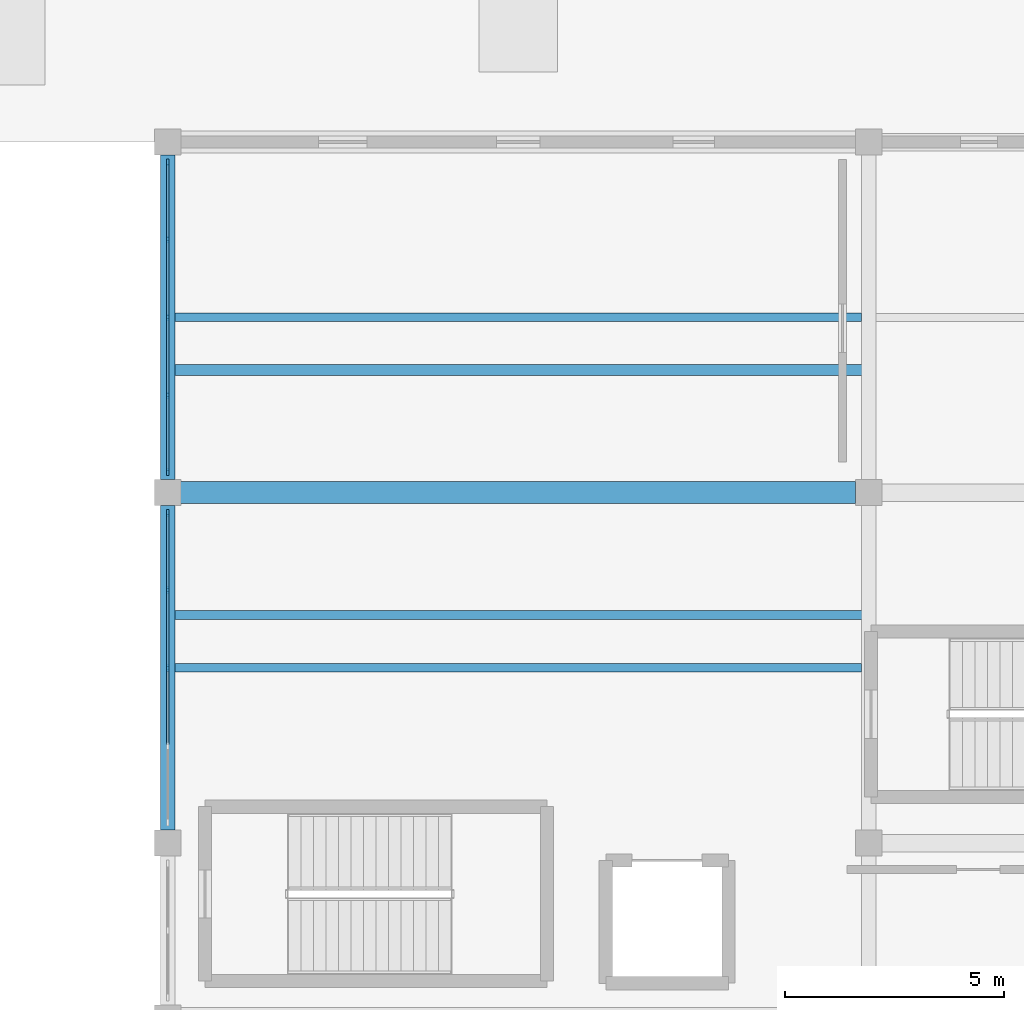
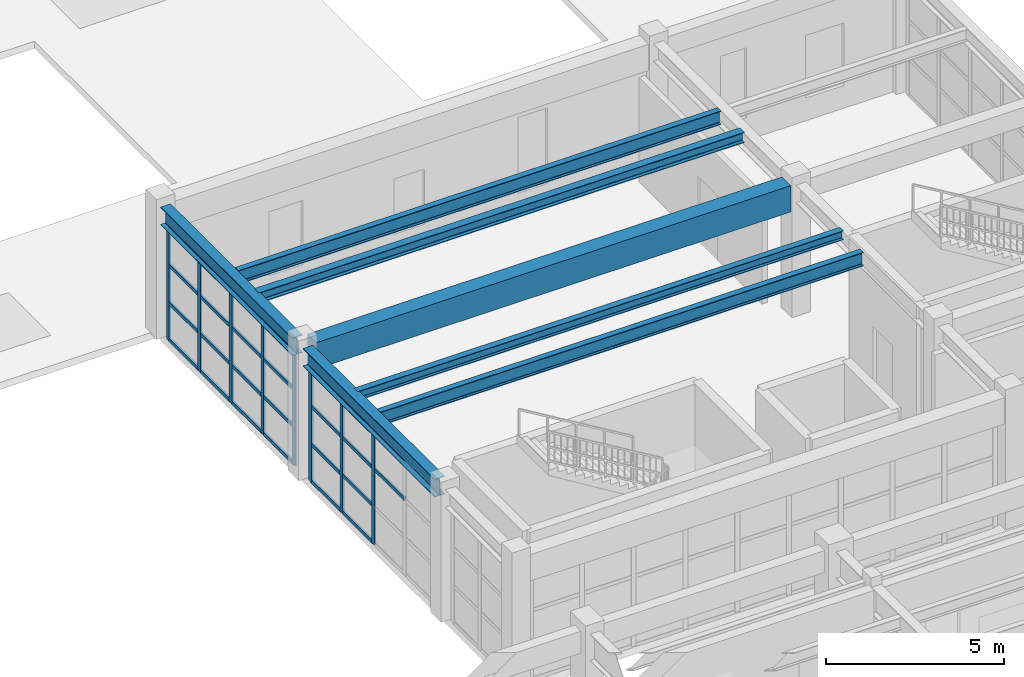
# One storey, part 20 of 59: 34 members, 7 beams, 2 elements without a shape of their own.
"""IFC4 building model written with IfcOpenShell, lengths in metres."""

from ifc_helpers import new_model, si_unit, direction, frame, origin, origin_2d, place, context, subcontext, project, spatial, rectangle, i_section, extrude, material, material_profile, profile_set, type_object, element, aggregate, save


model = new_model("IFC4")

# Units and contexts
model_context = context("Model", 3, precision=1e-05, world=origin(), true_north=direction((0.0, 1.0)))
body_context = subcontext(model_context, "Body", "Model", "MODEL_VIEW")
ifc_project = project(units=[si_unit("LENGTHUNIT", "METRE"), si_unit("AREAUNIT", "SQUARE_METRE"), si_unit("VOLUMEUNIT", "CUBIC_METRE"), si_unit("PLANEANGLEUNIT", "RADIAN"), si_unit("MASSUNIT", "GRAM", prefix="KILO")], contexts=[model_context])

# Site, building, storey
site_placement = place(None, origin())
site = spatial("IfcSite", under=ifc_project, at=site_placement, CompositionType="ELEMENT")
building_placement = place(site_placement, origin())
building = spatial("IfcBuilding", under=site, at=building_placement, Name="Serraluz Foothill Cableway Terminal", CompositionType="ELEMENT")
storey_placement = place(building_placement, frame((0.0, 0.0, 4.800048828125)))
storey = spatial("IfcBuildingStorey", under=building, at=storey_placement, Name="L01", CompositionType="ELEMENT", Elevation=4.800048828125)

# Beams
ifc_material_1 = material(Name="Concrete C35/45 (f'c 35 MPa)", Category="concrete")
ifc_material_profile_1 = material_profile(ifc_material_1, rectangle(XDim=0.5, YDim=0.89990234375, at=origin_2d()), Name="RC 500x900")
ifc_profile_set_1 = profile_set([ifc_material_profile_1], Name="Concrete C35/45 (f'c 35 MPa)")
beam_type_1 = type_object("IfcBeamType", Name="TYP-BM-RC500X900", PredefinedType="BEAM", material=ifc_profile_set_1)
beam_1_placement = place(storey_placement, frame((80.2958984375, 88.0, 4.050048828125), z_axis=(1.0, 0.0, 0.0), x_axis=(0.0, 1.0, 0.0)))
element("IfcBeam", 1, at=beam_1_placement, inside=storey, type_object=beam_type_1, Name="Primary Girder BM-X-L01-0237", PredefinedType="BEAM", context=body_context, shape_type="SweptSolid", body=[
    extrude(rectangle(XDim=0.5, YDim=0.89990234375, at=origin_2d()), origin(), (0.0, 0.0, 1.0), 15.408203125),
])
ifc_material_2 = material(Name="Steel ASTM A992 Grade 50", Category="steel")
ifc_material_profile_2 = material_profile(ifc_material_2, i_section(OverallWidth=0.324951171875, OverallDepth=0.615966796875, WebThickness=0.013916015625, FlangeThickness=0.021484375, FilletRadius=0.01806640625, at=origin_2d()), Name="W24X117")
ifc_profile_set_2 = profile_set([ifc_material_profile_2], Name="Steel ASTM A992 Grade 50")
beam_type_2 = type_object("IfcBeamType", Name="TYP-BM-W24X117", PredefinedType="BEAM", material=ifc_profile_set_2)
for number, where, z_axis, x_axis, name in (
    (2, (80.0, 80.2958984375, 4.19189453125), (0.0, 1.0, 0.0), (-1.0, 0.0, 0.0), "Transverse Girder BM-Y-L01-0261"),
    (3, (80.0, 88.2958984375, 4.19189453125), (0.0, 1.0, 0.0), (-1.0, 0.0, 0.0), "Transverse Girder BM-Y-L01-0262"),
):
    element("IfcBeam", number, at=place(storey_placement, frame(where, z_axis=z_axis, x_axis=x_axis)), inside=storey, type_object=beam_type_2, Name=name, PredefinedType="BEAM", context=body_context, shape_type="SweptSolid", body=[
        extrude(i_section(OverallWidth=0.324951171875, OverallDepth=0.615966796875, WebThickness=0.013916015625, FlangeThickness=0.021484375, FilletRadius=0.01806640625, at=origin_2d()), origin(), (0.0, 0.0, 1.0), 7.408203125),
    ])

# Curtain wall, members
ifc_material_3 = material(Name="Architectural bronze alloy C28000", Category="aluminium")
curtain_wall_type = type_object("IfcCurtainWallType", Name="TYP-CW-680X420", PredefinedType="NOTDEFINED", material=ifc_material_3)
curtain_wall_1_placement = place(storey_placement, origin())
curtain_wall_1 = element("IfcCurtainWall", 4, at=curtain_wall_1_placement, inside=storey, type_object=curtain_wall_type, Name="Ribbed Glazed Curtain Wall CW-V4W-L01-80", PredefinedType="NOTDEFINED")
ifc_material_profile_3 = material_profile(ifc_material_3, rectangle(XDim=0.06005859375, YDim=0.159912109375, at=origin_2d()), Name="ALU MULLION 60x160")
ifc_profile_set_3 = profile_set([ifc_material_profile_3], Name="Architectural bronze alloy C28000")
member_type_1 = type_object("IfcMemberType", Name="TYP-CW-MUL-60X160", PredefinedType="MULLION", material=ifc_profile_set_3)
member_1_placement = place(storey_placement, frame((80.0, 84.0, 0.0), z_axis=(0.0, 0.0, 1.0), x_axis=(-1.0, 0.0, 0.0)))
member_1 = element("IfcMember", 5, at=member_1_placement, type_object=member_type_1, Name="CW-13 mullion 3", PredefinedType="MULLION", context=body_context, shape_type="SweptSolid", body=[
    extrude(rectangle(XDim=0.06005859375, YDim=0.159912109375, at=origin_2d()), origin(), (0.0, 0.0, 1.0), 3.884033203125),
])
member_2_placement = place(storey_placement, frame((80.0, 85.780029296875, 0.0), z_axis=(0.0, 0.0, 1.0), x_axis=(-1.0, 0.0, 0.0)))
member_2 = element("IfcMember", 6, at=member_2_placement, type_object=member_type_1, Name="CW-13 mullion 4", PredefinedType="MULLION", context=body_context, shape_type="SweptSolid", body=[
    extrude(rectangle(XDim=0.06005859375, YDim=0.159912109375, at=origin_2d()), origin(), (0.0, 0.0, 1.0), 3.884033203125),
])
member_3_placement = place(storey_placement, frame((80.0, 87.530029296875, 0.0), z_axis=(0.0, 0.0, 1.0), x_axis=(-1.0, 0.0, 0.0)))
member_3 = element("IfcMember", 7, at=member_3_placement, type_object=member_type_1, Name="CW-13 mullion 5", PredefinedType="MULLION", context=body_context, shape_type="SweptSolid", body=[
    extrude(rectangle(XDim=0.06005859375, YDim=0.159912109375, at=origin_2d()), origin(), (0.0, 0.0, 1.0), 3.884033203125),
])

curtain_wall_2_placement = place(storey_placement, origin())
curtain_wall_2 = element("IfcCurtainWall", 8, at=curtain_wall_2_placement, inside=storey, type_object=curtain_wall_type, Name="Ribbed Glazed Curtain Wall CW-V4W-L01-88", PredefinedType="NOTDEFINED")
member_4_placement = place(storey_placement, frame((80.0, 88.469970703125, 0.0), z_axis=(0.0, 0.0, 1.0), x_axis=(-1.0, 0.0, 0.0)))
member_4 = element("IfcMember", 9, at=member_4_placement, type_object=member_type_1, Name="CW-13 mullion 1", PredefinedType="MULLION", context=body_context, shape_type="SweptSolid", body=[
    extrude(rectangle(XDim=0.06005859375, YDim=0.159912109375, at=origin_2d()), origin(), (0.0, 0.0, 1.0), 3.884033203125),
])
member_5_placement = place(storey_placement, frame((80.0, 90.219970703125, 0.0), z_axis=(0.0, 0.0, 1.0), x_axis=(-1.0, 0.0, 0.0)))
member_5 = element("IfcMember", 10, at=member_5_placement, type_object=member_type_1, Name="CW-13 mullion 2", PredefinedType="MULLION", context=body_context, shape_type="SweptSolid", body=[
    extrude(rectangle(XDim=0.06005859375, YDim=0.159912109375, at=origin_2d()), origin(), (0.0, 0.0, 1.0), 3.884033203125),
])
member_6_placement = place(storey_placement, frame((80.0, 92.0, 0.0), z_axis=(0.0, 0.0, 1.0), x_axis=(-1.0, 0.0, 0.0)))
member_6 = element("IfcMember", 11, at=member_6_placement, type_object=member_type_1, Name="CW-13 mullion 3", PredefinedType="MULLION", context=body_context, shape_type="SweptSolid", body=[
    extrude(rectangle(XDim=0.06005859375, YDim=0.159912109375, at=origin_2d()), origin(), (0.0, 0.0, 1.0), 3.884033203125),
])
member_7_placement = place(storey_placement, frame((80.0, 93.780029296875, 0.0), z_axis=(0.0, 0.0, 1.0), x_axis=(-1.0, 0.0, 0.0)))
member_7 = element("IfcMember", 12, at=member_7_placement, type_object=member_type_1, Name="CW-13 mullion 4", PredefinedType="MULLION", context=body_context, shape_type="SweptSolid", body=[
    extrude(rectangle(XDim=0.06005859375, YDim=0.159912109375, at=origin_2d()), origin(), (0.0, 0.0, 1.0), 3.884033203125),
])
member_8_placement = place(storey_placement, frame((80.0, 95.530029296875, 0.0), z_axis=(0.0, 0.0, 1.0), x_axis=(-1.0, 0.0, 0.0)))
member_8 = element("IfcMember", 13, at=member_8_placement, type_object=member_type_1, Name="CW-13 mullion 5", PredefinedType="MULLION", context=body_context, shape_type="SweptSolid", body=[
    extrude(rectangle(XDim=0.06005859375, YDim=0.159912109375, at=origin_2d()), origin(), (0.0, 0.0, 1.0), 3.884033203125),
])

# Member
ifc_material_profile_4 = material_profile(ifc_material_3, rectangle(XDim=0.06005859375, YDim=0.1201171875, at=origin_2d()), Name="ALU TRANSOM 60x120")
ifc_profile_set_4 = profile_set([ifc_material_profile_4], Name="Architectural bronze alloy C28000")
member_type_2 = type_object("IfcMemberType", Name="TYP-CW-TRN-60X120", PredefinedType="USERDEFINED", material=ifc_profile_set_4)
member_9_placement = place(storey_placement, frame((80.0, 82.25, 2.58935546875), z_axis=(0.0, 1.0, 0.0), x_axis=(-1.0, 0.0, 0.0)))
member_9 = element("IfcMember", 14, at=member_9_placement, type_object=member_type_2, Name="CW-13 transom 2.3", ObjectType="TRANSOM", PredefinedType="USERDEFINED", context=body_context, shape_type="SweptSolid", body=[
    extrude(rectangle(XDim=0.06005859375, YDim=0.1201171875, at=origin_2d()), origin(), (0.0, 0.0, 1.0), 1.719970703125),
])

member_10_placement = place(storey_placement, frame((80.0, 82.25, 3.85400390625), z_axis=(0.0, 1.0, 0.0), x_axis=(-1.0, 0.0, 0.0)))
member_10 = element("IfcMember", 15, at=member_10_placement, type_object=member_type_2, Name="CW-13 transom 2.4", ObjectType="TRANSOM", PredefinedType="USERDEFINED", context=body_context, shape_type="SweptSolid", body=[
    extrude(rectangle(XDim=0.06005859375, YDim=0.1201171875, at=origin_2d()), origin(), (0.0, 0.0, 1.0), 1.719970703125),
])

member_11_placement = place(storey_placement, frame((80.0, 84.030029296875, 0.030029296875), z_axis=(0.0, 1.0, 0.0), x_axis=(-1.0, 0.0, 0.0)))
member_11 = element("IfcMember", 16, at=member_11_placement, type_object=member_type_2, Name="CW-13 transom 3.1", ObjectType="TRANSOM", PredefinedType="USERDEFINED", context=body_context, shape_type="SweptSolid", body=[
    extrude(rectangle(XDim=0.06005859375, YDim=0.1201171875, at=origin_2d()), origin(), (0.0, 0.0, 1.0), 1.719970703125),
])

member_12_placement = place(storey_placement, frame((80.0, 84.030029296875, 1.294677734375), z_axis=(0.0, 1.0, 0.0), x_axis=(-1.0, 0.0, 0.0)))
member_12 = element("IfcMember", 17, at=member_12_placement, type_object=member_type_2, Name="CW-13 transom 3.2", ObjectType="TRANSOM", PredefinedType="USERDEFINED", context=body_context, shape_type="SweptSolid", body=[
    extrude(rectangle(XDim=0.06005859375, YDim=0.1201171875, at=origin_2d()), origin(), (0.0, 0.0, 1.0), 1.719970703125),
])

member_13_placement = place(storey_placement, frame((80.0, 84.030029296875, 2.58935546875), z_axis=(0.0, 1.0, 0.0), x_axis=(-1.0, 0.0, 0.0)))
member_13 = element("IfcMember", 18, at=member_13_placement, type_object=member_type_2, Name="CW-13 transom 3.3", ObjectType="TRANSOM", PredefinedType="USERDEFINED", context=body_context, shape_type="SweptSolid", body=[
    extrude(rectangle(XDim=0.06005859375, YDim=0.1201171875, at=origin_2d()), origin(), (0.0, 0.0, 1.0), 1.719970703125),
])

member_14_placement = place(storey_placement, frame((80.0, 84.030029296875, 3.85400390625), z_axis=(0.0, 1.0, 0.0), x_axis=(-1.0, 0.0, 0.0)))
member_14 = element("IfcMember", 19, at=member_14_placement, type_object=member_type_2, Name="CW-13 transom 3.4", ObjectType="TRANSOM", PredefinedType="USERDEFINED", context=body_context, shape_type="SweptSolid", body=[
    extrude(rectangle(XDim=0.06005859375, YDim=0.1201171875, at=origin_2d()), origin(), (0.0, 0.0, 1.0), 1.719970703125),
])

member_15_placement = place(storey_placement, frame((80.0, 85.81005859375, 0.030029296875), z_axis=(0.0, 1.0, 0.0), x_axis=(-1.0, 0.0, 0.0)))
member_15 = element("IfcMember", 20, at=member_15_placement, type_object=member_type_2, Name="CW-13 transom 4.1", ObjectType="TRANSOM", PredefinedType="USERDEFINED", context=body_context, shape_type="SweptSolid", body=[
    extrude(rectangle(XDim=0.06005859375, YDim=0.1201171875, at=origin_2d()), origin(), (0.0, 0.0, 1.0), 1.68994140625),
])

member_16_placement = place(storey_placement, frame((80.0, 85.81005859375, 1.294677734375), z_axis=(0.0, 1.0, 0.0), x_axis=(-1.0, 0.0, 0.0)))
member_16 = element("IfcMember", 21, at=member_16_placement, type_object=member_type_2, Name="CW-13 transom 4.2", ObjectType="TRANSOM", PredefinedType="USERDEFINED", context=body_context, shape_type="SweptSolid", body=[
    extrude(rectangle(XDim=0.06005859375, YDim=0.1201171875, at=origin_2d()), origin(), (0.0, 0.0, 1.0), 1.68994140625),
])

member_17_placement = place(storey_placement, frame((80.0, 85.81005859375, 2.58935546875), z_axis=(0.0, 1.0, 0.0), x_axis=(-1.0, 0.0, 0.0)))
member_17 = element("IfcMember", 22, at=member_17_placement, type_object=member_type_2, Name="CW-13 transom 4.3", ObjectType="TRANSOM", PredefinedType="USERDEFINED", context=body_context, shape_type="SweptSolid", body=[
    extrude(rectangle(XDim=0.06005859375, YDim=0.1201171875, at=origin_2d()), origin(), (0.0, 0.0, 1.0), 1.68994140625),
])

member_18_placement = place(storey_placement, frame((80.0, 85.81005859375, 3.85400390625), z_axis=(0.0, 1.0, 0.0), x_axis=(-1.0, 0.0, 0.0)))
member_18 = element("IfcMember", 23, at=member_18_placement, type_object=member_type_2, Name="CW-13 transom 4.4", ObjectType="TRANSOM", PredefinedType="USERDEFINED", context=body_context, shape_type="SweptSolid", body=[
    extrude(rectangle(XDim=0.06005859375, YDim=0.1201171875, at=origin_2d()), origin(), (0.0, 0.0, 1.0), 1.68994140625),
])

aggregate(curtain_wall_1, [member_1, member_2, member_3, member_9, member_10, member_11, member_12, member_13, member_14, member_15, member_16, member_17, member_18])

member_19_placement = place(storey_placement, frame((80.0, 88.5, 0.030029296875), z_axis=(0.0, 1.0, 0.0), x_axis=(-1.0, 0.0, 0.0)))
member_19 = element("IfcMember", 24, at=member_19_placement, type_object=member_type_2, Name="CW-13 transom 1.1", ObjectType="TRANSOM", PredefinedType="USERDEFINED", context=body_context, shape_type="SweptSolid", body=[
    extrude(rectangle(XDim=0.06005859375, YDim=0.1201171875, at=origin_2d()), origin(), (0.0, 0.0, 1.0), 1.68994140625),
])

member_20_placement = place(storey_placement, frame((80.0, 88.5, 1.294677734375), z_axis=(0.0, 1.0, 0.0), x_axis=(-1.0, 0.0, 0.0)))
member_20 = element("IfcMember", 25, at=member_20_placement, type_object=member_type_2, Name="CW-13 transom 1.2", ObjectType="TRANSOM", PredefinedType="USERDEFINED", context=body_context, shape_type="SweptSolid", body=[
    extrude(rectangle(XDim=0.06005859375, YDim=0.1201171875, at=origin_2d()), origin(), (0.0, 0.0, 1.0), 1.68994140625),
])

member_21_placement = place(storey_placement, frame((80.0, 88.5, 2.58935546875), z_axis=(0.0, 1.0, 0.0), x_axis=(-1.0, 0.0, 0.0)))
member_21 = element("IfcMember", 26, at=member_21_placement, type_object=member_type_2, Name="CW-13 transom 1.3", ObjectType="TRANSOM", PredefinedType="USERDEFINED", context=body_context, shape_type="SweptSolid", body=[
    extrude(rectangle(XDim=0.06005859375, YDim=0.1201171875, at=origin_2d()), origin(), (0.0, 0.0, 1.0), 1.68994140625),
])

member_22_placement = place(storey_placement, frame((80.0, 88.5, 3.85400390625), z_axis=(0.0, 1.0, 0.0), x_axis=(-1.0, 0.0, 0.0)))
member_22 = element("IfcMember", 27, at=member_22_placement, type_object=member_type_2, Name="CW-13 transom 1.4", ObjectType="TRANSOM", PredefinedType="USERDEFINED", context=body_context, shape_type="SweptSolid", body=[
    extrude(rectangle(XDim=0.06005859375, YDim=0.1201171875, at=origin_2d()), origin(), (0.0, 0.0, 1.0), 1.68994140625),
])

member_23_placement = place(storey_placement, frame((80.0, 90.25, 0.030029296875), z_axis=(0.0, 1.0, 0.0), x_axis=(-1.0, 0.0, 0.0)))
member_23 = element("IfcMember", 28, at=member_23_placement, type_object=member_type_2, Name="CW-13 transom 2.1", ObjectType="TRANSOM", PredefinedType="USERDEFINED", context=body_context, shape_type="SweptSolid", body=[
    extrude(rectangle(XDim=0.06005859375, YDim=0.1201171875, at=origin_2d()), origin(), (0.0, 0.0, 1.0), 1.719970703125),
])

member_24_placement = place(storey_placement, frame((80.0, 90.25, 1.294677734375), z_axis=(0.0, 1.0, 0.0), x_axis=(-1.0, 0.0, 0.0)))
member_24 = element("IfcMember", 29, at=member_24_placement, type_object=member_type_2, Name="CW-13 transom 2.2", ObjectType="TRANSOM", PredefinedType="USERDEFINED", context=body_context, shape_type="SweptSolid", body=[
    extrude(rectangle(XDim=0.06005859375, YDim=0.1201171875, at=origin_2d()), origin(), (0.0, 0.0, 1.0), 1.719970703125),
])

member_25_placement = place(storey_placement, frame((80.0, 90.25, 2.58935546875), z_axis=(0.0, 1.0, 0.0), x_axis=(-1.0, 0.0, 0.0)))
member_25 = element("IfcMember", 30, at=member_25_placement, type_object=member_type_2, Name="CW-13 transom 2.3", ObjectType="TRANSOM", PredefinedType="USERDEFINED", context=body_context, shape_type="SweptSolid", body=[
    extrude(rectangle(XDim=0.06005859375, YDim=0.1201171875, at=origin_2d()), origin(), (0.0, 0.0, 1.0), 1.719970703125),
])

member_26_placement = place(storey_placement, frame((80.0, 90.25, 3.85400390625), z_axis=(0.0, 1.0, 0.0), x_axis=(-1.0, 0.0, 0.0)))
member_26 = element("IfcMember", 31, at=member_26_placement, type_object=member_type_2, Name="CW-13 transom 2.4", ObjectType="TRANSOM", PredefinedType="USERDEFINED", context=body_context, shape_type="SweptSolid", body=[
    extrude(rectangle(XDim=0.06005859375, YDim=0.1201171875, at=origin_2d()), origin(), (0.0, 0.0, 1.0), 1.719970703125),
])

member_27_placement = place(storey_placement, frame((80.0, 92.030029296875, 0.030029296875), z_axis=(0.0, 1.0, 0.0), x_axis=(-1.0, 0.0, 0.0)))
member_27 = element("IfcMember", 32, at=member_27_placement, type_object=member_type_2, Name="CW-13 transom 3.1", ObjectType="TRANSOM", PredefinedType="USERDEFINED", context=body_context, shape_type="SweptSolid", body=[
    extrude(rectangle(XDim=0.06005859375, YDim=0.1201171875, at=origin_2d()), origin(), (0.0, 0.0, 1.0), 1.719970703125),
])

member_28_placement = place(storey_placement, frame((80.0, 92.030029296875, 1.294677734375), z_axis=(0.0, 1.0, 0.0), x_axis=(-1.0, 0.0, 0.0)))
member_28 = element("IfcMember", 33, at=member_28_placement, type_object=member_type_2, Name="CW-13 transom 3.2", ObjectType="TRANSOM", PredefinedType="USERDEFINED", context=body_context, shape_type="SweptSolid", body=[
    extrude(rectangle(XDim=0.06005859375, YDim=0.1201171875, at=origin_2d()), origin(), (0.0, 0.0, 1.0), 1.719970703125),
])

member_29_placement = place(storey_placement, frame((80.0, 92.030029296875, 2.58935546875), z_axis=(0.0, 1.0, 0.0), x_axis=(-1.0, 0.0, 0.0)))
member_29 = element("IfcMember", 34, at=member_29_placement, type_object=member_type_2, Name="CW-13 transom 3.3", ObjectType="TRANSOM", PredefinedType="USERDEFINED", context=body_context, shape_type="SweptSolid", body=[
    extrude(rectangle(XDim=0.06005859375, YDim=0.1201171875, at=origin_2d()), origin(), (0.0, 0.0, 1.0), 1.719970703125),
])

member_30_placement = place(storey_placement, frame((80.0, 92.030029296875, 3.85400390625), z_axis=(0.0, 1.0, 0.0), x_axis=(-1.0, 0.0, 0.0)))
member_30 = element("IfcMember", 35, at=member_30_placement, type_object=member_type_2, Name="CW-13 transom 3.4", ObjectType="TRANSOM", PredefinedType="USERDEFINED", context=body_context, shape_type="SweptSolid", body=[
    extrude(rectangle(XDim=0.06005859375, YDim=0.1201171875, at=origin_2d()), origin(), (0.0, 0.0, 1.0), 1.719970703125),
])

member_31_placement = place(storey_placement, frame((80.0, 93.81005859375, 0.030029296875), z_axis=(0.0, 1.0, 0.0), x_axis=(-1.0, 0.0, 0.0)))
member_31 = element("IfcMember", 36, at=member_31_placement, type_object=member_type_2, Name="CW-13 transom 4.1", ObjectType="TRANSOM", PredefinedType="USERDEFINED", context=body_context, shape_type="SweptSolid", body=[
    extrude(rectangle(XDim=0.06005859375, YDim=0.1201171875, at=origin_2d()), origin(), (0.0, 0.0, 1.0), 1.68994140625),
])

member_32_placement = place(storey_placement, frame((80.0, 93.81005859375, 1.294677734375), z_axis=(0.0, 1.0, 0.0), x_axis=(-1.0, 0.0, 0.0)))
member_32 = element("IfcMember", 37, at=member_32_placement, type_object=member_type_2, Name="CW-13 transom 4.2", ObjectType="TRANSOM", PredefinedType="USERDEFINED", context=body_context, shape_type="SweptSolid", body=[
    extrude(rectangle(XDim=0.06005859375, YDim=0.1201171875, at=origin_2d()), origin(), (0.0, 0.0, 1.0), 1.68994140625),
])

member_33_placement = place(storey_placement, frame((80.0, 93.81005859375, 2.58935546875), z_axis=(0.0, 1.0, 0.0), x_axis=(-1.0, 0.0, 0.0)))
member_33 = element("IfcMember", 38, at=member_33_placement, type_object=member_type_2, Name="CW-13 transom 4.3", ObjectType="TRANSOM", PredefinedType="USERDEFINED", context=body_context, shape_type="SweptSolid", body=[
    extrude(rectangle(XDim=0.06005859375, YDim=0.1201171875, at=origin_2d()), origin(), (0.0, 0.0, 1.0), 1.68994140625),
])

member_34_placement = place(storey_placement, frame((80.0, 93.81005859375, 3.85400390625), z_axis=(0.0, 1.0, 0.0), x_axis=(-1.0, 0.0, 0.0)))
member_34 = element("IfcMember", 39, at=member_34_placement, type_object=member_type_2, Name="CW-13 transom 4.4", ObjectType="TRANSOM", PredefinedType="USERDEFINED", context=body_context, shape_type="SweptSolid", body=[
    extrude(rectangle(XDim=0.06005859375, YDim=0.1201171875, at=origin_2d()), origin(), (0.0, 0.0, 1.0), 1.68994140625),
])

aggregate(curtain_wall_2, [member_4, member_5, member_6, member_7, member_8, member_19, member_20, member_21, member_22, member_23, member_24, member_25, member_26, member_27, member_28, member_29, member_30, member_31, member_32, member_33, member_34])

# Beams
ifc_material_profile_5 = material_profile(ifc_material_2, i_section(OverallWidth=0.205078125, OverallDepth=0.31005859375, WebThickness=0.009521484375, FlangeThickness=0.016357421875, FilletRadius=0.012939453125, at=origin_2d()), Name="W12X50")
ifc_profile_set_5 = profile_set([ifc_material_profile_5], Name="Steel ASTM A992 Grade 50")
beam_type_3 = type_object("IfcBeamType", Name="TYP-JS-W12X50", PredefinedType="JOIST", material=ifc_profile_set_5)
beam_2_placement = place(storey_placement, frame((80.1201171875, 85.199951171875, 4.344970703125), z_axis=(1.0, 0.0, 0.0), x_axis=(0.0, 1.0, 0.0)))
element("IfcBeam", 40, at=beam_2_placement, inside=storey, type_object=beam_type_3, Name="Machinery Support Girder BM-BW-5", PredefinedType="JOIST", context=body_context, shape_type="SweptSolid", body=[
    extrude(i_section(OverallWidth=0.205078125, OverallDepth=0.31005859375, WebThickness=0.009521484375, FlangeThickness=0.016357421875, FilletRadius=0.012939453125, at=origin_2d()), origin(), (0.0, 0.0, 1.0), 15.759765625),
])
ifc_material_profile_6 = material_profile(ifc_material_2, i_section(OverallWidth=0.25390625, OverallDepth=0.35595703125, WebThickness=0.010498046875, FlangeThickness=0.018310546875, FilletRadius=0.014892578125, at=origin_2d()), Name="W14X68")
ifc_profile_set_6 = profile_set([ifc_material_profile_6], Name="Steel ASTM A992 Grade 50")
beam_type_4 = type_object("IfcBeamType", Name="TYP-JS-W14X68", PredefinedType="JOIST", material=ifc_profile_set_6)
beam_3_placement = place(storey_placement, frame((80.1201171875, 90.800048828125, 4.322021484375), z_axis=(1.0, 0.0, 0.0), x_axis=(0.0, 1.0, 0.0)))
element("IfcBeam", 41, at=beam_3_placement, inside=storey, type_object=beam_type_4, Name="Machinery Support Girder BM-BW-6", PredefinedType="JOIST", context=body_context, shape_type="SweptSolid", body=[
    extrude(i_section(OverallWidth=0.25390625, OverallDepth=0.35595703125, WebThickness=0.010498046875, FlangeThickness=0.018310546875, FilletRadius=0.014892578125, at=origin_2d()), origin(), (0.0, 0.0, 1.0), 15.759765625),
])
ifc_material_profile_7 = material_profile(ifc_material_2, i_section(OverallWidth=0.193115234375, OverallDepth=0.467041015625, WebThickness=0.011474609375, FlangeThickness=0.01904296875, FilletRadius=0.014892578125, at=origin_2d()), Name="W18X65")
ifc_profile_set_7 = profile_set([ifc_material_profile_7], Name="Steel ASTM A992 Grade 50")
beam_type_5 = type_object("IfcBeamType", Name="TYP-JS-W18X65", PredefinedType="JOIST", material=ifc_profile_set_7)
for number, where, z_axis, x_axis, name in (
    (42, (80.16748046875, 84.0, 4.266357421875), (1.0, 0.0, 0.0), (0.0, 1.0, 0.0), "Secondary Floor Joist JS-L01-0088"),
    (43, (80.16748046875, 92.0, 4.266357421875), (1.0, 0.0, 0.0), (0.0, 1.0, 0.0), "Secondary Floor Joist JS-L01-0089"),
):
    element("IfcBeam", number, at=place(storey_placement, frame(where, z_axis=z_axis, x_axis=x_axis)), inside=storey, type_object=beam_type_5, Name=name, PredefinedType="JOIST", context=body_context, shape_type="SweptSolid", body=[
        extrude(i_section(OverallWidth=0.193115234375, OverallDepth=0.467041015625, WebThickness=0.011474609375, FlangeThickness=0.01904296875, FilletRadius=0.014892578125, at=origin_2d()), origin(), (0.0, 0.0, 1.0), 15.6650390625),
    ])

save(model, "model.ifc")
